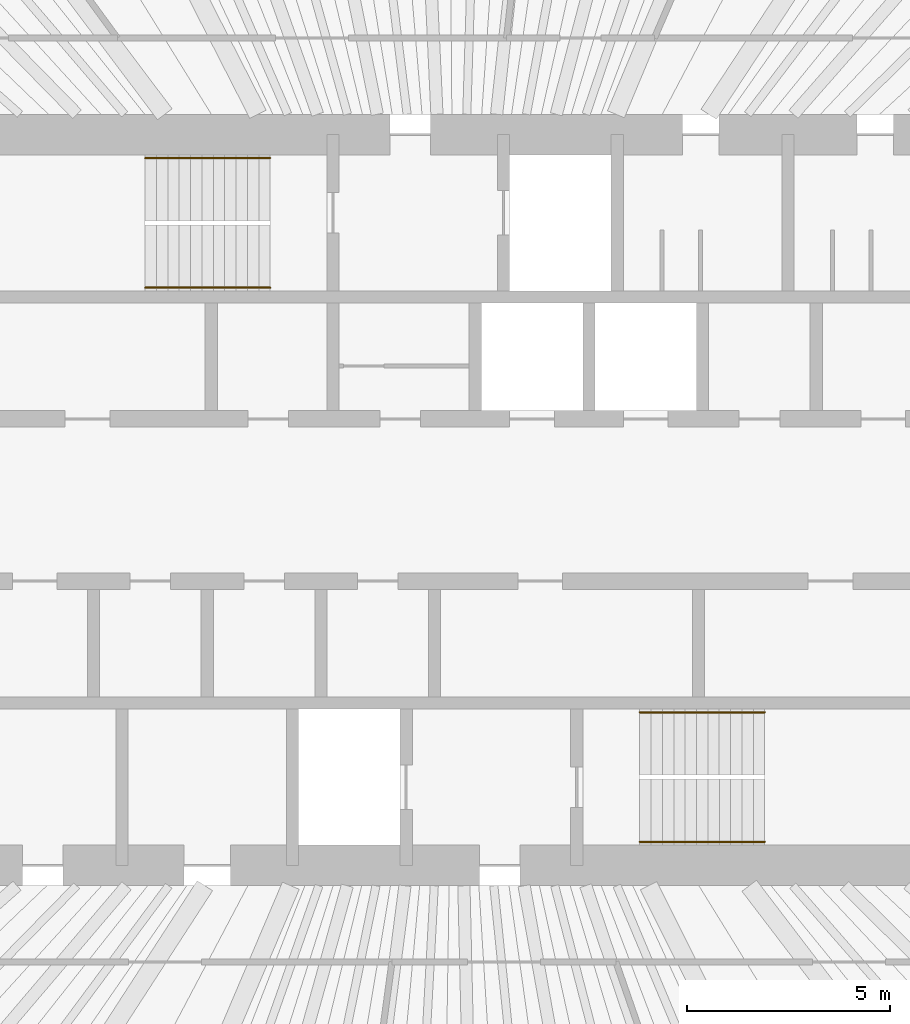
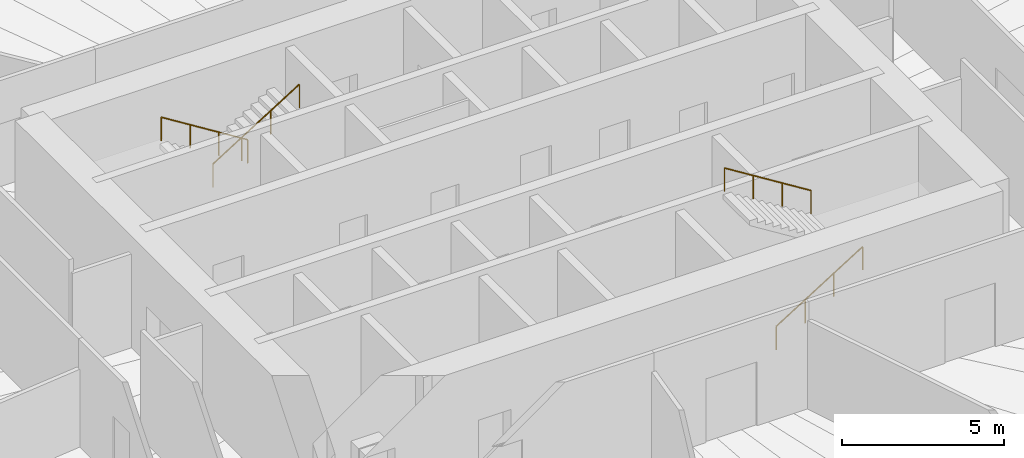
# One storey, part 14 of 14: 4 railings.
"""IFC4 building model written with IfcOpenShell, lengths in metres."""

from ifc_helpers import new_model, si_unit, direction, frame, origin, origin_2d, place, context, subcontext, project, spatial, circle, extrude, material, type_object, element, save


model = new_model("IFC4")

# Units and contexts
model_context = context("Model", 3, precision=1e-05, world=origin(), true_north=direction((0.0, 1.0)))
body_context = subcontext(model_context, "Body", "Model", "MODEL_VIEW")
ifc_project = project(units=[si_unit("LENGTHUNIT", "METRE"), si_unit("AREAUNIT", "SQUARE_METRE"), si_unit("VOLUMEUNIT", "CUBIC_METRE"), si_unit("PLANEANGLEUNIT", "RADIAN"), si_unit("MASSUNIT", "GRAM", prefix="KILO")], contexts=[model_context])

# Site, building, storey
site_placement = place(None, origin())
site = spatial("IfcSite", under=ifc_project, at=site_placement, CompositionType="ELEMENT")
building_placement = place(site_placement, origin())
building = spatial("IfcBuilding", under=site, at=building_placement, Name="Qingtian Harvest Tower", CompositionType="ELEMENT")
storey_placement = place(building_placement, frame((0.0, 0.0, 287.199951171875)))
storey = spatial("IfcBuildingStorey", under=building, at=storey_placement, Name="L63", CompositionType="ELEMENT", Elevation=287.199951171875)

# Railings
ifc_material = material(Name="Stainless steel handrail", Category="steel")
railing_type = type_object("IfcRailingType", Name="Handrail HR1", PredefinedType="HANDRAIL", material=ifc_material)
railing_1_placement = place(storey_placement, frame((-4.550048828125, 8.419921875, 0.175048828125)))
element("IfcRailing", 1, at=railing_1_placement, inside=storey, type_object=railing_type, Name="Handrail HR1 S1 flight 1", PredefinedType="HANDRAIL", context=body_context, shape_type="SweptSolid", body=[
    extrude(circle(Radius=0.02392578125, at=origin_2d()), frame((0.0, 0.0, 0.8759765625), z_axis=(-0.847979421464, 0.0, 0.530029150871), x_axis=(0.0, -1.0, 0.0)), (0.0, 0.0, 1.0), 3.632080078125),
    extrude(circle(Radius=0.02099609375, at=origin_2d()), origin(), (0.0, 0.0, 1.0), 0.851806640625),
    extrude(circle(Radius=0.02099609375, at=origin_2d()), frame((-1.026611328125, 0.0, 0.6416015625)), (0.0, 0.0, 1.0), 0.851806640625),
    extrude(circle(Radius=0.02099609375, at=origin_2d()), frame((-2.05322265625, 0.0, 1.283447265625)), (0.0, 0.0, 1.0), 0.851806640625),
    extrude(circle(Radius=0.02099609375, at=origin_2d()), frame((-3.079833984375, 0.0, 1.925048828125)), (0.0, 0.0, 1.0), 0.851806640625),
])
railing_2_placement = place(storey_placement, frame((-7.6298828125, 5.22998046875, 2.275146484375)))
element("IfcRailing", 2, at=railing_2_placement, inside=storey, type_object=railing_type, Name="Handrail HR1 S1 flight 2", PredefinedType="HANDRAIL", context=body_context, shape_type="SweptSolid", body=[
    extrude(circle(Radius=0.02392578125, at=origin_2d()), frame((0.0, 0.0, 0.8759765625), z_axis=(0.848009633417, 0.0, 0.529980812513), x_axis=(0.0, 1.0, 0.0)), (0.0, 0.0, 1.0), 3.6318359375),
    extrude(circle(Radius=0.02099609375, at=origin_2d()), origin(), (0.0, 0.0, 1.0), 0.851806640625),
    extrude(circle(Radius=0.02099609375, at=origin_2d()), frame((1.026611328125, 0.0, 0.6416015625)), (0.0, 0.0, 1.0), 0.851806640625),
    extrude(circle(Radius=0.02099609375, at=origin_2d()), frame((2.05322265625, 0.0, 1.283203125)), (0.0, 0.0, 1.0), 0.851806640625),
    extrude(circle(Radius=0.02099609375, at=origin_2d()), frame((3.079833984375, 0.0, 1.9248046875)), (0.0, 0.0, 1.0), 0.851806640625),
])
railing_3_placement = place(storey_placement, frame((4.550048828125, -8.419921875, 0.175048828125)))
element("IfcRailing", 3, at=railing_3_placement, inside=storey, type_object=railing_type, Name="Handrail HR1 S2 flight 1", PredefinedType="HANDRAIL", context=body_context, shape_type="SweptSolid", body=[
    extrude(circle(Radius=0.02392578125, at=origin_2d()), frame((0.0, 0.0, 0.8759765625), z_axis=(0.847979421464, 0.0, 0.530029150871), x_axis=(0.0, 1.0, 0.0)), (0.0, 0.0, 1.0), 3.632080078125),
    extrude(circle(Radius=0.02099609375, at=origin_2d()), origin(), (0.0, 0.0, 1.0), 0.851806640625),
    extrude(circle(Radius=0.02099609375, at=origin_2d()), frame((1.026611328125, 0.0, 0.6416015625)), (0.0, 0.0, 1.0), 0.851806640625),
    extrude(circle(Radius=0.02099609375, at=origin_2d()), frame((2.05322265625, 0.0, 1.283447265625)), (0.0, 0.0, 1.0), 0.851806640625),
    extrude(circle(Radius=0.02099609375, at=origin_2d()), frame((3.079833984375, 0.0, 1.925048828125)), (0.0, 0.0, 1.0), 0.851806640625),
])
railing_4_placement = place(storey_placement, frame((7.6298828125, -5.22998046875, 2.275146484375)))
element("IfcRailing", 4, at=railing_4_placement, inside=storey, type_object=railing_type, Name="Handrail HR1 S2 flight 2", PredefinedType="HANDRAIL", context=body_context, shape_type="SweptSolid", body=[
    extrude(circle(Radius=0.02392578125, at=origin_2d()), frame((0.0, 0.0, 0.8759765625), z_axis=(-0.848009633417, 0.0, 0.529980812513), x_axis=(0.0, -1.0, 0.0)), (0.0, 0.0, 1.0), 3.6318359375),
    extrude(circle(Radius=0.02099609375, at=origin_2d()), origin(), (0.0, 0.0, 1.0), 0.851806640625),
    extrude(circle(Radius=0.02099609375, at=origin_2d()), frame((-1.026611328125, 0.0, 0.6416015625)), (0.0, 0.0, 1.0), 0.851806640625),
    extrude(circle(Radius=0.02099609375, at=origin_2d()), frame((-2.05322265625, 0.0, 1.283203125)), (0.0, 0.0, 1.0), 0.851806640625),
    extrude(circle(Radius=0.02099609375, at=origin_2d()), frame((-3.079833984375, 0.0, 1.9248046875)), (0.0, 0.0, 1.0), 0.851806640625),
])

save(model, "model.ifc")
